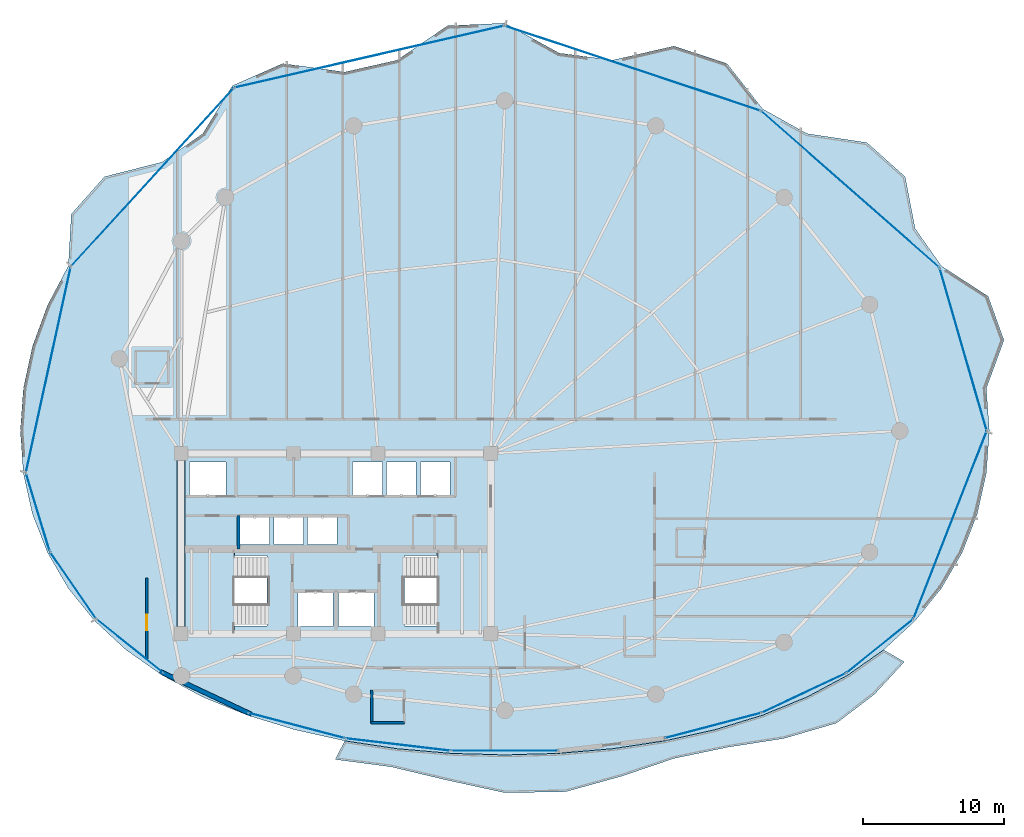
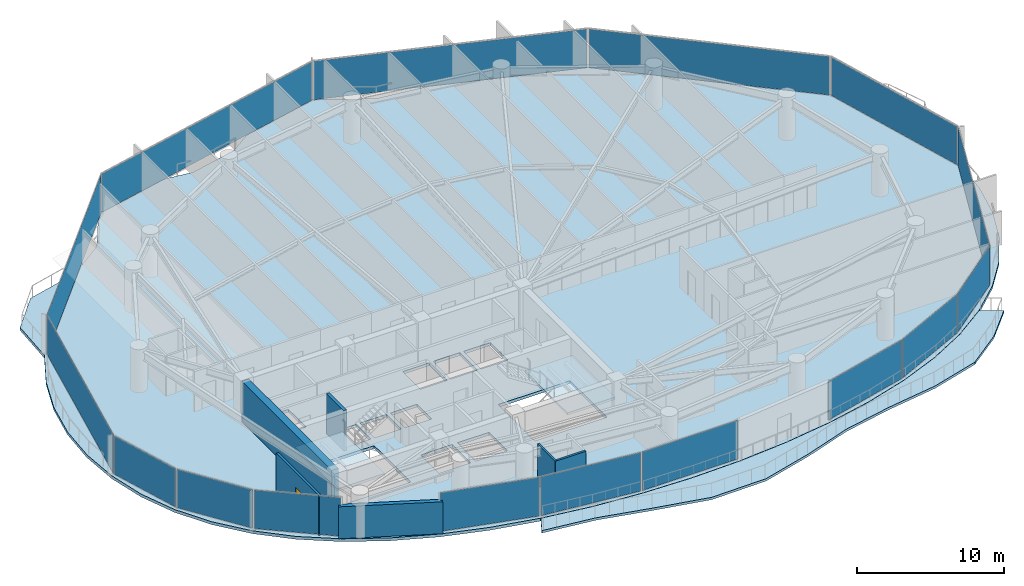
# One storey, part 25 of 34: 16 plates, 6 walls, 4 slabs, 1 door, 1 opening, 18 elements without a shape of their own.
"""IFC4 building model written with IfcOpenShell, lengths in metres."""

from ifc_helpers import new_model, si_unit, direction, frame, frame_2d, origin, origin_2d, place, context, subcontext, project, spatial, polyline, rectangle, outline, extrude, material, layer, layer_set, type_object, element, fill, aggregate, save


model = new_model("IFC4")

# Units and contexts
model_context = context("Model", 3, precision=1e-05, world=origin(), true_north=direction((0.0, 1.0)))
body_context = subcontext(model_context, "Body", "Model", "MODEL_VIEW")
ifc_project = project(units=[si_unit("LENGTHUNIT", "METRE"), si_unit("AREAUNIT", "SQUARE_METRE"), si_unit("VOLUMEUNIT", "CUBIC_METRE"), si_unit("PLANEANGLEUNIT", "RADIAN"), si_unit("MASSUNIT", "GRAM", prefix="KILO")], contexts=[model_context])

# Site, building, storey
site_placement = place(None, origin())
site = spatial("IfcSite", under=ifc_project, at=site_placement, CompositionType="ELEMENT")
building_placement = place(site_placement, origin())
building = spatial("IfcBuilding", under=site, at=building_placement, Name="Kazevale Care Tower and Concert Hall", CompositionType="ELEMENT")
storey_placement = place(building_placement, frame((0.0, 0.0, 160.199951171875)))
storey = spatial("IfcBuildingStorey", under=building, at=storey_placement, Name="L42", CompositionType="ELEMENT", Elevation=160.199951171875)

# Curtain wall, plate
ifc_material_1 = material(Name="Aluminium 6063-T6 and Low-E Glass", Category="aluminium")
ifc_layer_1 = layer(ifc_material_1, 0.179931640625)
ifc_layer_set_1 = layer_set([ifc_layer_1], Name="Aluminium 6063-T6 and Low-E Glass")
curtain_wall_type_1 = type_object("IfcCurtainWallType", Name="Convex Checkerboard Finned Curtain Wall CW-2", PredefinedType="NOTDEFINED", material=ifc_layer_set_1)
curtain_wall_1_placement = place(storey_placement, origin())
curtain_wall_1 = element("IfcCurtainWall", 1, at=curtain_wall_1_placement, inside=storey, type_object=curtain_wall_type_1, Name="cw:L42:f14", PredefinedType="NOTDEFINED")
ifc_material_2 = material(Name="Low-E Laminated Glass", Category="glass")
ifc_layer_2 = layer(ifc_material_2, 0.028076171875)
ifc_layer_set_2 = layer_set([ifc_layer_2], Name="Low-E Laminated Glass")
plate_type_1 = type_object("IfcPlateType", Name="CW-2 Low-E Glazing Panel 28mm", PredefinedType="CURTAIN_PANEL", material=ifc_layer_set_2)
plate_1_placement = place(storey_placement, frame((19.98388671875, 56.017578125, 0.074951171875), z_axis=(0.0, 0.0, 1.0), x_axis=(0.674262472751, 0.738491785899, 0.0)))
plate_1 = element("IfcPlate", 2, at=plate_1_placement, type_object=plate_type_1, Name="CW-2 panel 1.1", PredefinedType="CURTAIN_PANEL", context=body_context, shape_type="SweptSolid", body=[
    extrude(rectangle(XDim=17.0439453125, YDim=0.028076171875, at=origin_2d()), origin(), (0.0, 0.0, 1.0), 3.2099609375),
])
aggregate(curtain_wall_1, [plate_1])

curtain_wall_2_placement = place(storey_placement, origin())
curtain_wall_2 = element("IfcCurtainWall", 3, at=curtain_wall_2_placement, inside=storey, type_object=curtain_wall_type_1, Name="cw:L42:f16", PredefinedType="NOTDEFINED")
plate_2_placement = place(storey_placement, frame((54.070556640625, 63.7451171875, 0.074951171875), z_axis=(0.0, 0.0, 1.0), x_axis=(0.949135409507, -0.314868185785, 0.0)))
plate_2 = element("IfcPlate", 4, at=plate_2_placement, type_object=plate_type_1, Name="CW-2 panel 1.1", PredefinedType="CURTAIN_PANEL", context=body_context, shape_type="SweptSolid", body=[
    extrude(rectangle(XDim=19.041748046875, YDim=0.028076171875, at=origin_2d()), origin(), (0.0, 0.0, 1.0), 3.2099609375),
])
aggregate(curtain_wall_2, [plate_2])

ifc_layer_3 = layer(ifc_material_1, 0.179931640625)
ifc_layer_set_3 = layer_set([ifc_layer_3], Name="Aluminium 6063-T6 and Low-E Glass")
curtain_wall_type_2 = type_object("IfcCurtainWallType", Name="Convex Recessed Sunroom Curtain Wall CW-3", PredefinedType="NOTDEFINED", material=ifc_layer_set_3)
curtain_wall_3_placement = place(storey_placement, origin())
curtain_wall_3 = element("IfcCurtainWall", 5, at=curtain_wall_3_placement, inside=storey, type_object=curtain_wall_type_2, Name="cw:L42:f15", PredefinedType="NOTDEFINED")
ifc_layer_4 = layer(ifc_material_2, 0.028076171875)
ifc_layer_set_4 = layer_set([ifc_layer_4], Name="Low-E Laminated Glass")
plate_type_2 = type_object("IfcPlateType", Name="CW-3 Low-E Glazing Panel 28mm", PredefinedType="CURTAIN_PANEL", material=ifc_layer_set_4)
plate_3_placement = place(storey_placement, frame((35.37109375, 64.569091796875, 0.074951171875), z_axis=(0.0, 0.0, 1.0), x_axis=(0.974688488327, 0.223567329284, 0.0)))
plate_3 = element("IfcPlate", 6, at=plate_3_placement, type_object=plate_type_2, Name="CW-3 panel 1.1", PredefinedType="CURTAIN_PANEL", context=body_context, shape_type="SweptSolid", body=[
    extrude(rectangle(XDim=19.52197265625, YDim=0.028076171875, at=origin_2d()), origin(), (0.0, 0.0, 1.0), 3.2099609375),
])
aggregate(curtain_wall_3, [plate_3])

curtain_wall_4_placement = place(storey_placement, origin())
curtain_wall_4 = element("IfcCurtainWall", 7, at=curtain_wall_4_placement, inside=storey, type_object=curtain_wall_type_2, Name="cw:L42:f17", PredefinedType="NOTDEFINED")
plate_4_placement = place(storey_placement, frame((69.5244140625, 55.152587890625, 0.074951171875), z_axis=(0.0, 0.0, 1.0), x_axis=(0.751360700182, -0.659891732197, 0.0)))
plate_4 = element("IfcPlate", 8, at=plate_4_placement, type_object=plate_type_2, Name="CW-3 panel 1.1", PredefinedType="CURTAIN_PANEL", context=body_context, shape_type="SweptSolid", body=[
    extrude(rectangle(XDim=16.72998046875, YDim=0.028076171875, at=origin_2d()), origin(), (0.0, 0.0, 1.0), 3.2099609375),
])
aggregate(curtain_wall_4, [plate_4])

ifc_layer_5 = layer(ifc_material_1, 0.179931640625)
ifc_layer_set_5 = layer_set([ifc_layer_5], Name="Aluminium 6063-T6 and Low-E Glass")
curtain_wall_type_3 = type_object("IfcCurtainWallType", Name="Waist & Upper Residential Curtain Wall CW-4", PredefinedType="NOTDEFINED", material=ifc_layer_set_5)
curtain_wall_5_placement = place(storey_placement, origin())
curtain_wall_5 = element("IfcCurtainWall", 9, at=curtain_wall_5_placement, inside=storey, type_object=curtain_wall_type_3, Name="cw:L42:f01", PredefinedType="NOTDEFINED")
ifc_layer_6 = layer(ifc_material_2, 0.030029296875)
ifc_layer_set_6 = layer_set([ifc_layer_6], Name="Low-E Laminated Glass")
plate_type_3 = type_object("IfcPlateType", Name="CW-4 Low-E Glazing Panel 30mm", PredefinedType="CURTAIN_PANEL", material=ifc_layer_set_6)
plate_5_placement = place(storey_placement, frame((76.60791015625, 31.319091796875, 0.080078125), z_axis=(0.0, 0.0, 1.0), x_axis=(-0.36412075471, -0.931351746651, 0.0)))
plate_5 = element("IfcPlate", 10, at=plate_5_placement, type_object=plate_type_3, Name="CW-4 panel 1.1", PredefinedType="CURTAIN_PANEL", context=body_context, shape_type="SweptSolid", body=[
    extrude(rectangle(XDim=14.186767578125, YDim=0.030029296875, at=origin_2d()), origin(), (0.0, 0.0, 1.0), 3.199951171875),
])
aggregate(curtain_wall_5, [plate_5])

curtain_wall_6_placement = place(storey_placement, origin())
curtain_wall_6 = element("IfcCurtainWall", 11, at=curtain_wall_6_placement, inside=storey, type_object=curtain_wall_type_3, Name="cw:L42:f11", PredefinedType="NOTDEFINED")
plate_6_placement = place(storey_placement, frame((14.348388671875, 27.03955078125, 0.080078125), z_axis=(0.0, 0.0, 1.0), x_axis=(-0.567568708131, 0.823326035997, 0.0)))
plate_6 = element("IfcPlate", 12, at=plate_6_placement, type_object=plate_type_3, Name="CW-4 panel 1.1", PredefinedType="CURTAIN_PANEL", context=body_context, shape_type="SweptSolid", body=[
    extrude(rectangle(XDim=5.673583984375, YDim=0.030029296875, at=origin_2d()), origin(), (0.0, 0.0, 1.0), 3.199951171875),
])
aggregate(curtain_wall_6, [plate_6])

curtain_wall_7_placement = place(storey_placement, origin())
curtain_wall_7 = element("IfcCurtainWall", 13, at=curtain_wall_7_placement, inside=storey, type_object=curtain_wall_type_3, Name="cw:L42:f12", PredefinedType="NOTDEFINED")
plate_7_placement = place(storey_placement, frame((11.843994140625, 32.232421875, 0.080078125), z_axis=(0.0, 0.0, 1.0), x_axis=(-0.290977496961, 0.956729897234, 0.0)))
plate_7 = element("IfcPlate", 14, at=plate_7_placement, type_object=plate_type_3, Name="CW-4 panel 1.1", PredefinedType="CURTAIN_PANEL", context=body_context, shape_type="SweptSolid", body=[
    extrude(rectangle(XDim=5.675537109375, YDim=0.030029296875, at=origin_2d()), origin(), (0.0, 0.0, 1.0), 3.199951171875),
])
aggregate(curtain_wall_7, [plate_7])

curtain_wall_8_placement = place(storey_placement, origin())
curtain_wall_8 = element("IfcCurtainWall", 15, at=curtain_wall_8_placement, inside=storey, type_object=curtain_wall_type_3, Name="cw:L42:f13", PredefinedType="NOTDEFINED")
plate_8_placement = place(storey_placement, frame((12.589599609375, 42.344482421875, 0.080078125), z_axis=(0.0, 0.0, 1.0), x_axis=(0.21282305992, 0.977090755849, 0.0)))
plate_8 = element("IfcPlate", 16, at=plate_8_placement, type_object=plate_type_3, Name="CW-4 panel 1.1", PredefinedType="CURTAIN_PANEL", context=body_context, shape_type="SweptSolid", body=[
    extrude(rectangle(XDim=14.82421875, YDim=0.030029296875, at=origin_2d()), origin(), (0.0, 0.0, 1.0), 3.199951171875),
])
aggregate(curtain_wall_8, [plate_8])

curtain_wall_9_placement = place(storey_placement, origin())
curtain_wall_9 = element("IfcCurtainWall", 17, at=curtain_wall_9_placement, inside=storey, type_object=curtain_wall_type_3, Name="cw:L42:f18", PredefinedType="NOTDEFINED")
plate_9_placement = place(storey_placement, frame((77.54296875, 43.79150390625, 0.080078125), z_axis=(0.0, 0.0, 1.0), x_axis=(0.278136604418, -0.960541529182, 0.0)))
plate_9 = element("IfcPlate", 18, at=plate_9_placement, type_object=plate_type_3, Name="CW-4 panel 1.1", PredefinedType="CURTAIN_PANEL", context=body_context, shape_type="SweptSolid", body=[
    extrude(rectangle(XDim=11.89892578125, YDim=0.030029296875, at=origin_2d()), origin(), (0.0, 0.0, 1.0), 3.199951171875),
])
aggregate(curtain_wall_9, [plate_9])

ifc_layer_7 = layer(ifc_material_1, 0.179931640625)
ifc_layer_set_7 = layer_set([ifc_layer_7], Name="Aluminium 6063-T6 and Low-E Glass")
curtain_wall_type_4 = type_object("IfcCurtainWallType", Name="Sheltered Concave Balcony Curtain Wall CW-5", PredefinedType="NOTDEFINED", material=ifc_layer_set_7)
curtain_wall_10_placement = place(storey_placement, origin())
curtain_wall_10 = element("IfcCurtainWall", 19, at=curtain_wall_10_placement, inside=storey, type_object=curtain_wall_type_4, Name="cw:L42:f02", PredefinedType="NOTDEFINED")
ifc_layer_8 = layer(ifc_material_2, 0.02587890625)
ifc_layer_set_8 = layer_set([ifc_layer_8], Name="Low-E Laminated Glass")
plate_type_4 = type_object("IfcPlateType", Name="CW-5 Low-E Glazing Panel 26mm", PredefinedType="CURTAIN_PANEL", material=ifc_layer_set_8)
plate_10_placement = place(storey_placement, frame((71.613037109375, 22.720458984375, 0.074951171875), z_axis=(0.0, 0.0, 1.0), x_axis=(-0.779095419531, -0.626905357502, 0.0)))
plate_10 = element("IfcPlate", 20, at=plate_10_placement, type_object=plate_type_4, Name="CW-5 panel 1.1", PredefinedType="CURTAIN_PANEL", context=body_context, shape_type="SweptSolid", body=[
    extrude(rectangle(XDim=5.96728515625, YDim=0.02587890625, at=origin_2d()), origin(), (0.0, 0.0, 1.0), 3.2099609375),
])
aggregate(curtain_wall_10, [plate_10])

curtain_wall_11_placement = place(storey_placement, origin())
curtain_wall_11 = element("IfcCurtainWall", 21, at=curtain_wall_11_placement, inside=storey, type_object=curtain_wall_type_4, Name="cw:L42:f03", PredefinedType="NOTDEFINED")
plate_11_placement = place(storey_placement, frame((66.235595703125, 19.39697265625, 0.074951171875), z_axis=(0.0, 0.0, 1.0), x_axis=(-0.905188294205, -0.425010766963, 0.0)))
plate_11 = element("IfcPlate", 22, at=plate_11_placement, type_object=plate_type_4, Name="CW-5 panel 1.1", PredefinedType="CURTAIN_PANEL", context=body_context, shape_type="SweptSolid", body=[
    extrude(rectangle(XDim=6.46630859375, YDim=0.02587890625, at=origin_2d()), origin(), (0.0, 0.0, 1.0), 3.2099609375),
])
aggregate(curtain_wall_11, [plate_11])

curtain_wall_12_placement = place(storey_placement, origin())
curtain_wall_12 = element("IfcCurtainWall", 23, at=curtain_wall_12_placement, inside=storey, type_object=curtain_wall_type_4, Name="cw:L42:f04", PredefinedType="NOTDEFINED")
plate_12_placement = place(storey_placement, frame((59.784912109375, 17.08251953125, 0.074951171875), z_axis=(0.0, 0.0, 1.0), x_axis=(-0.967141564797, -0.254238458229, 0.0)))
plate_12 = element("IfcPlate", 24, at=plate_12_placement, type_object=plate_type_4, Name="CW-5 panel 1.1", PredefinedType="CURTAIN_PANEL", context=body_context, shape_type="SweptSolid", body=[
    extrude(rectangle(XDim=6.996826171875, YDim=0.02587890625, at=origin_2d()), origin(), (0.0, 0.0, 1.0), 3.2099609375),
])
aggregate(curtain_wall_12, [plate_12])

curtain_wall_13_placement = place(storey_placement, origin())
curtain_wall_13 = element("IfcCurtainWall", 25, at=curtain_wall_13_placement, inside=storey, type_object=curtain_wall_type_4, Name="cw:L42:f06", PredefinedType="NOTDEFINED")
plate_13_placement = place(storey_placement, frame((45.0, 15.2890625, 0.074951171875), z_axis=(0.0, 0.0, 1.0), x_axis=(-1.0, 0.0, 0.0)))
plate_13 = element("IfcPlate", 26, at=plate_13_placement, type_object=plate_type_4, Name="CW-5 panel 1.1", PredefinedType="CURTAIN_PANEL", context=body_context, shape_type="SweptSolid", body=[
    extrude(rectangle(XDim=7.531982421875, YDim=0.02587890625, at=origin_2d()), origin(), (0.0, 0.0, 1.0), 3.2099609375),
])
aggregate(curtain_wall_13, [plate_13])

curtain_wall_14_placement = place(storey_placement, origin())
curtain_wall_14 = element("IfcCurtainWall", 27, at=curtain_wall_14_placement, inside=storey, type_object=curtain_wall_type_4, Name="cw:L42:f07", PredefinedType="NOTDEFINED")
plate_14_placement = place(storey_placement, frame((37.4150390625, 15.7314453125, 0.074951171875), z_axis=(0.0, 0.0, 1.0), x_axis=(-0.993087997884, 0.117372179238, 0.0)))
plate_14 = element("IfcPlate", 28, at=plate_14_placement, type_object=plate_type_4, Name="CW-5 panel 1.1", PredefinedType="CURTAIN_PANEL", context=body_context, shape_type="SweptSolid", body=[
    extrude(rectangle(XDim=7.39013671875, YDim=0.02587890625, at=origin_2d()), origin(), (0.0, 0.0, 1.0), 3.2099609375),
])
aggregate(curtain_wall_14, [plate_14])

curtain_wall_15_placement = place(storey_placement, origin())
curtain_wall_15 = element("IfcCurtainWall", 29, at=curtain_wall_15_placement, inside=storey, type_object=curtain_wall_type_4, Name="cw:L42:f08", PredefinedType="NOTDEFINED")
plate_15_placement = place(storey_placement, frame((30.215087890625, 17.08251953125, 0.074951171875), z_axis=(0.0, 0.0, 1.0), x_axis=(-0.967141564797, 0.254238458229, 0.0)))
plate_15 = element("IfcPlate", 30, at=plate_15_placement, type_object=plate_type_4, Name="CW-5 panel 1.1", PredefinedType="CURTAIN_PANEL", context=body_context, shape_type="SweptSolid", body=[
    extrude(rectangle(XDim=6.996826171875, YDim=0.02587890625, at=origin_2d()), origin(), (0.0, 0.0, 1.0), 3.2099609375),
])
aggregate(curtain_wall_15, [plate_15])

curtain_wall_16_placement = place(storey_placement, origin())
curtain_wall_16 = element("IfcCurtainWall", 31, at=curtain_wall_16_placement, inside=storey, type_object=curtain_wall_type_4, Name="cw:L42:f10", PredefinedType="NOTDEFINED")
plate_16_placement = place(storey_placement, frame((18.386962890625, 22.720458984375, 0.074951171875), z_axis=(0.0, 0.0, 1.0), x_axis=(-0.779095419531, 0.626905357502, 0.0)))
plate_16 = element("IfcPlate", 32, at=plate_16_placement, type_object=plate_type_4, Name="CW-5 panel 1.1", PredefinedType="CURTAIN_PANEL", context=body_context, shape_type="SweptSolid", body=[
    extrude(rectangle(XDim=5.96728515625, YDim=0.02587890625, at=origin_2d()), origin(), (0.0, 0.0, 1.0), 3.2099609375),
])
aggregate(curtain_wall_16, [plate_16])

# Slab
ifc_material_3 = material(Name="Concrete C40", Category="concrete")
ifc_layer_9 = layer(ifc_material_3, 0.199951171875)
ifc_layer_set_9 = layer_set([ifc_layer_9], Name="Concrete C40")
slab_type_1 = type_object("IfcSlabType", Name="Sinusoidal Concave Balcony Slab 200", PredefinedType="USERDEFINED", material=ifc_layer_set_9)
slab_1_placement = place(storey_placement, frame((0.0, 0.0, -0.199951171875)))
element("IfcSlab", 33, at=slab_1_placement, inside=storey, type_object=slab_type_1, Name="slab:L42:bal", ObjectType="BALCONY", PredefinedType="USERDEFINED", context=body_context, shape_type="SweptSolid", body=[
    extrude(outline(polyline([(73.36279296875, 21.6044921875), (71.2294921875, 19.290283203125), (68.548828125, 17.255859375), (64.8056640625, 16.163818359375), (60.803955078125, 15.5400390625), (57.007080078125, 14.747314453125), (53.31591796875, 13.4921875), (49.31005859375, 12.384521484375), (45.0, 12.31103515625), (40.830810546875, 13.221435546875), (36.90869140625, 14.15380859375), (32.955078125, 14.67431640625), (33.635986328125, 15.992919921875), (33.637451171875, 15.992431640625), (37.3447265625, 15.435546875), (41.148193359375, 15.104736328125), (45.0, 14.9951171875), (48.851806640625, 15.104736328125), (52.6552734375, 15.435546875), (56.362548828125, 15.992431640625), (59.927001953125, 16.783447265625), (63.3037109375, 17.81689453125), (66.4501953125, 19.101806640625), (69.3271484375, 20.64501953125), (71.898193359375, 22.44921875), (71.899658203125, 22.450439453125), (73.36279296875, 21.6044921875)])), origin(), (0.0, 0.0, 1.0), 0.199951171875),
])

# Stair, slab
stair_type = type_object("IfcStairType", Name="Exit Stair Assembly ST1-Z2", PredefinedType="HALF_TURN_STAIR", material=ifc_material_3)
stair_1_placement = place(storey_placement, origin())
stair_1 = element("IfcStair", 34, at=stair_1_placement, inside=storey, type_object=stair_type, Name="stair:L42:ST1", PredefinedType="HALF_TURN_STAIR")
ifc_layer_10 = layer(ifc_material_3, 0.199951171875)
ifc_layer_set_10 = layer_set([ifc_layer_10], Name="Concrete C40")
slab_type_2 = type_object("IfcSlabType", Name="Stair Half-Landing Slab ST1-Z2", PredefinedType="LANDING", material=ifc_layer_set_10)
slab_2_placement = place(storey_placement, frame((0.0, 0.0, 1.60009765625)))
slab_2 = element("IfcSlab", 35, at=slab_2_placement, type_object=slab_type_2, Name="ST1-Z2 landing 1", PredefinedType="LANDING", context=body_context, shape_type="SweptSolid", body=[
    extrude(outline(polyline([(22.050048828125, 23.699951171875), (25.81005859375, 23.699951171875), (25.81005859375, 29.5), (22.050048828125, 29.5), (22.050048828125, 23.699951171875)])), origin(), (0.0, 0.0, 1.0), 0.199951171875),
])
aggregate(stair_1, [slab_2])

stair_2_placement = place(storey_placement, origin())
stair_2 = element("IfcStair", 36, at=stair_2_placement, inside=storey, type_object=stair_type, Name="stair:L42:ST2", PredefinedType="HALF_TURN_STAIR")
slab_3_placement = place(storey_placement, frame((0.0, 0.0, 1.60009765625)))
slab_3 = element("IfcSlab", 37, at=slab_3_placement, type_object=slab_type_2, Name="ST1-Z2 landing 1", PredefinedType="LANDING", context=body_context, shape_type="SweptSolid", body=[
    extrude(outline(polyline([(40.18994140625, 23.699951171875), (43.949951171875, 23.699951171875), (43.949951171875, 29.5), (40.18994140625, 29.5), (40.18994140625, 23.699951171875)])), origin(), (0.0, 0.0, 1.0), 0.199951171875),
])
aggregate(stair_2, [slab_3])

# Slab
ifc_layer_11 = layer(ifc_material_3, 0.239990234375)
ifc_layer_set_11 = layer_set([ifc_layer_11], Name="Concrete C40")
slab_type_3 = type_object("IfcSlabType", Name="Tower Typical Floor Slab 240", PredefinedType="FLOOR", material=ifc_layer_set_11)
slab_4_placement = place(storey_placement, frame((0.0, 0.0, -0.239990234375)))
element("IfcSlab", 38, at=slab_4_placement, inside=storey, type_object=slab_type_3, Name="slab:L42:tw:1", PredefinedType="FLOOR", context=body_context, shape_type="SweptSolid", body=[
    extrude(outline(polyline([(79.39990234375, 38.0), (79.18359375, 41.02294921875), (80.438720703125, 44.44189453125), (79.310302734375, 47.5615234375), (75.993408203125, 49.71484375), (74.127197265625, 52.364990234375), (73.419677734375, 56.050048828125), (70.703369140625, 58.470703125), (66.447998046875, 59.109619140625), (63.302001953125, 60.861572265625), (60.771728515625, 64.0830078125), (57.005615234375, 65.325439453125), (52.65478515625, 64.322998046875), (48.8515625, 64.830078125), (45.0, 66.949951171875), (40.93017578125, 66.76806640625), (37.34521484375, 64.322998046875), (33.638427734375, 63.48486328125), (29.228271484375, 64.0830078125), (25.66064453125, 62.5126953125), (23.552001953125, 59.109619140625), (20.675537109375, 57.091796875), (16.580322265625, 56.050048828125), (14.2216796875, 53.40234375), (14.006591796875, 49.71484375), (12.530517578125, 46.91748046875), (11.46240234375, 44.008056640625), (10.81640625, 41.02294921875), (10.60009765625, 38.0), (10.81640625, 34.997802734375), (11.46240234375, 32.1005859375), (12.530517578125, 29.362548828125), (14.006591796875, 26.82421875), (15.872802734375, 24.514892578125), (18.10498046875, 22.452880859375), (20.675537109375, 20.649169921875), (23.552001953125, 19.1064453125), (26.697998046875, 17.821533203125), (30.074462890625, 16.7880859375), (33.638427734375, 15.997314453125), (37.34521484375, 15.4404296875), (41.1484375, 15.109619140625), (45.0, 15.0), (48.8515625, 15.109619140625), (52.65478515625, 15.4404296875), (56.361572265625, 15.997314453125), (59.925537109375, 16.7880859375), (63.302001953125, 17.821533203125), (66.447998046875, 19.1064453125), (69.324462890625, 20.649169921875), (71.89501953125, 22.452880859375), (74.127197265625, 24.514892578125), (75.993408203125, 26.82421875), (77.469482421875, 29.362548828125), (78.53759765625, 32.1005859375), (79.18359375, 34.997802734375), (79.39990234375, 38.0)]), holes=[polyline([(22.449951171875, 24.14990234375), (28.110107421875, 24.14990234375), (28.110107421875, 29.14990234375), (22.449951171875, 29.14990234375), (22.449951171875, 24.14990234375)]), polyline([(37.889892578125, 24.14990234375), (43.550048828125, 24.14990234375), (43.550048828125, 29.14990234375), (37.889892578125, 29.14990234375), (37.889892578125, 24.14990234375)]), polyline([(30.300048828125, 24.10009765625), (32.800048828125, 24.10009765625), (32.800048828125, 26.60009765625), (30.300048828125, 26.60009765625), (30.300048828125, 24.10009765625)]), polyline([(33.199951171875, 24.10009765625), (35.699951171875, 24.10009765625), (35.699951171875, 26.60009765625), (33.199951171875, 26.60009765625), (33.199951171875, 24.10009765625)]), polyline([(22.60009765625, 33.39990234375), (25.199951171875, 33.39990234375), (25.199951171875, 35.800048828125), (22.60009765625, 35.800048828125), (22.60009765625, 33.39990234375)]), polyline([(34.199951171875, 33.39990234375), (36.300048828125, 33.39990234375), (36.300048828125, 35.800048828125), (34.199951171875, 35.800048828125), (34.199951171875, 33.39990234375)]), polyline([(36.60009765625, 33.39990234375), (38.699951171875, 33.39990234375), (38.699951171875, 35.800048828125), (36.60009765625, 35.800048828125), (36.60009765625, 33.39990234375)]), polyline([(39.0, 33.39990234375), (41.10009765625, 33.39990234375), (41.10009765625, 35.800048828125), (39.0, 35.800048828125), (39.0, 33.39990234375)]), polyline([(26.199951171875, 29.949951171875), (28.300048828125, 29.949951171875), (28.300048828125, 31.949951171875), (26.199951171875, 31.949951171875), (26.199951171875, 29.949951171875)]), polyline([(28.60009765625, 29.949951171875), (30.699951171875, 29.949951171875), (30.699951171875, 31.949951171875), (28.60009765625, 31.949951171875), (28.60009765625, 29.949951171875)]), polyline([(31.0, 29.949951171875), (33.10009765625, 29.949951171875), (33.10009765625, 31.949951171875), (31.0, 31.949951171875), (31.0, 29.949951171875)])]), origin(), (0.0, 0.0, 1.0), 0.239990234375),
])

# Walls
ifc_material_4 = material(Name="Concrete C60", Category="concrete")
ifc_layer_12 = layer(ifc_material_4, 0.550048828125)
ifc_layer_set_12 = layer_set([ifc_layer_12], Name="Concrete C60")
wall_type_1 = type_object("IfcWallType", Name="Core Shear Wall 550 C60", PredefinedType="SHEAR", material=ifc_layer_set_12)
wall_1_placement = place(storey_placement, frame((22.0, 23.875, 0.0), z_axis=(0.0, 0.0, 1.0), x_axis=(0.0, 1.0, 0.0)))
element("IfcWall", 39, at=wall_1_placement, inside=storey, type_object=wall_type_1, Name="wall:L42:core:W", PredefinedType="SHEAR", context=body_context, shape_type="SweptSolid", body=[
    extrude(rectangle(XDim=12.25, YDim=0.550048828125, at=frame_2d((6.125, 0.0))), origin(), (0.0, 0.0, 1.0), 3.360107421875),
])
ifc_layer_13 = layer(ifc_material_3, 0.219970703125)
ifc_layer_set_13 = layer_set([ifc_layer_13], Name="Concrete C40")
wall_type_2 = type_object("IfcWallType", Name="Elevator Hoistway Shaft Wall 220", PredefinedType="SOLIDWALL", material=ifc_layer_set_13)
wall_2_placement = place(storey_placement, frame((26.10009765625, 29.6201171875, 0.0), z_axis=(0.0, 0.0, 1.0), x_axis=(0.0, 1.0, 0.0)))
element("IfcWall", 40, at=wall_2_placement, inside=storey, type_object=wall_type_2, Name="wall:L42:c_ph_w", PredefinedType="SOLIDWALL", context=body_context, shape_type="SweptSolid", body=[
    extrude(rectangle(XDim=2.35986328125, YDim=0.219970703125, at=frame_2d((1.179931640625, 0.0))), origin(), (0.0, 0.0, 1.0), 3.360107421875),
])

# Wall, opening, door
ifc_material_5 = material(Name="Concrete C40 and Acoustic Gypsum", Category="concrete")
ifc_layer_14 = layer(ifc_material_5, 0.179931640625)
ifc_layer_set_14 = layer_set([ifc_layer_14], Name="Concrete C40 and Acoustic Gypsum")
wall_type_3 = type_object("IfcWallType", Name="Fire-Rated Corridor & Party Wall 180", PredefinedType="PARTITIONING", material=ifc_layer_set_14)
wall_3_placement = place(storey_placement, frame((19.574951171875, 21.774658203125, 0.0), z_axis=(0.0, 0.0, 1.0), x_axis=(0.0, 1.0, 0.0)))
wall_3 = element("IfcWall", 41, at=wall_3_placement, inside=storey, type_object=wall_type_3, Name="wall:L42:auto_023", PredefinedType="PARTITIONING", context=body_context, shape_type="SweptSolid", body=[
    extrude(rectangle(XDim=5.790283203125, YDim=0.179931640625, at=frame_2d((2.89501953125, 0.0))), origin(), (0.0, 0.0, 1.0), 3.360107421875),
])
opening_placement = place(wall_3_placement, frame((2.087890625, 0.0, 0.0)))
opening = element("IfcOpeningElement", 42, at=opening_placement, cuts=wall_3, Name="Opening ID-1100", PredefinedType="OPENING", context=body_context, shape_type="SweptSolid", body=[
    extrude(rectangle(XDim=1.10009765625, YDim=2.10009765625, at=frame_2d((0.550048828125, 1.050048828125))), frame((0.0, 0.099853515625, 0.0), z_axis=(0.0, -1.0, 0.0), x_axis=(1.0, 0.0, 0.0)), (0.0, 0.0, 1.0), 0.199951171875),
])
ifc_material_6 = material(Name="Oak Timber Fire Leaf", Category="wood")
door_type = type_object("IfcDoorType", Name="Care Bedroom Accessible Door 1100x2100", OperationType="NOTDEFINED", PredefinedType="DOOR", material=ifc_material_6)
door_placement = place(opening_placement, origin())
door = element("IfcDoor", 43, at=door_placement, inside=storey, type_object=door_type, Name="door:L42:ad_023", OperationType="SINGLE_SWING_LEFT", OverallHeight=2.10009765625, OverallWidth=1.10009765625, PredefinedType="DOOR", context=body_context, shape_type="SweptSolid", body=[
    extrude(rectangle(XDim=1.10009765625, YDim=2.10009765625, at=frame_2d((0.550048828125, 1.050048828125))), frame((0.0, 0.02490234375, 0.0), z_axis=(0.0, -1.0, 0.0), x_axis=(1.0, 0.0, 0.0)), (0.0, 0.0, 1.0), 0.050048828125),
])
fill(opening, door)

# Walls
ifc_material_7 = material(Name="Acoustic Gypsum on Steel Stud", Category="steel")
ifc_layer_15 = layer(ifc_material_7, 0.159912109375)
ifc_layer_set_15 = layer_set([ifc_layer_15], Name="Acoustic Gypsum on Steel Stud")
wall_type_4 = type_object("IfcWallType", Name="Moisture-Resistant Bathroom Plumbing Wall 160", PredefinedType="PLUMBINGWALL", material=ifc_layer_set_15)
wall_4_placement = place(storey_placement, frame((35.510009765625, 17.27392578125, 0.0), z_axis=(0.0, 0.0, 1.0), x_axis=(1.0, 0.0, 0.0)))
element("IfcWall", 44, at=wall_4_placement, inside=storey, type_object=wall_type_4, Name="wall:L42:sb2_ens_ws", PredefinedType="PLUMBINGWALL", context=body_context, shape_type="SweptSolid", body=[
    extrude(rectangle(XDim=2.3798828125, YDim=0.159912109375, at=frame_2d((1.18994140625, 0.0))), origin(), (0.0, 0.0, 1.0), 3.360107421875),
])
wall_5_placement = place(storey_placement, frame((35.550048828125, 17.23388671875, 0.0), z_axis=(0.0, 0.0, 1.0), x_axis=(0.0, 1.0, 0.0)))
element("IfcWall", 45, at=wall_5_placement, inside=storey, type_object=wall_type_4, Name="wall:L42:sb2_ens_ww", PredefinedType="PLUMBINGWALL", context=body_context, shape_type="SweptSolid", body=[
    extrude(rectangle(XDim=2.380126953125, YDim=0.159912109375, at=frame_2d((1.18994140625, 0.0))), origin(), (0.0, 0.0, 1.0), 3.360107421875),
])
ifc_material_8 = material(Name="Concrete C40 with Honed Limestone Cladding", Category="masonry")
ifc_layer_16 = layer(ifc_material_8, 0.320068359375)
ifc_layer_set_16 = layer_set([ifc_layer_16], Name="Concrete C40 with Honed Limestone Cladding")
wall_type_5 = type_object("IfcWallType", Name="Tower Honed Limestone Spandrel Wall 320", PredefinedType="STANDARD", material=ifc_layer_set_16)
wall_6_placement = place(storey_placement, frame((26.993896484375, 17.8798828125, 0.0), z_axis=(0.0, 0.0, 1.0), x_axis=(-0.905106920297, 0.425184034073, 0.0)))
element("IfcWall", 46, at=wall_6_placement, inside=storey, type_object=wall_type_5, Name="wall:cw:L42:f09", PredefinedType="STANDARD", context=body_context, shape_type="SweptSolid", body=[
    extrude(rectangle(XDim=7.13623046875, YDim=0.320068359375, at=frame_2d((3.568115234375, 0.0))), origin(), (0.0, 0.0, 1.0), 2.656982421875),
])

save(model, "model.ifc")
